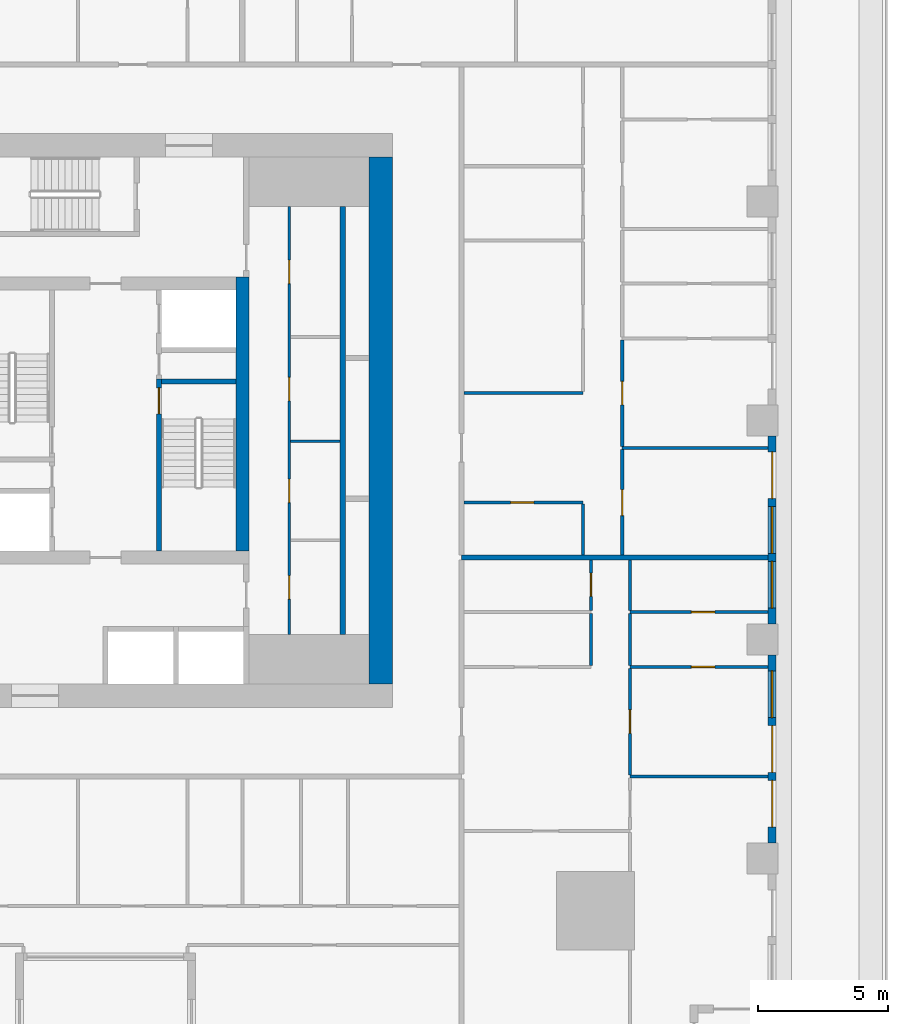
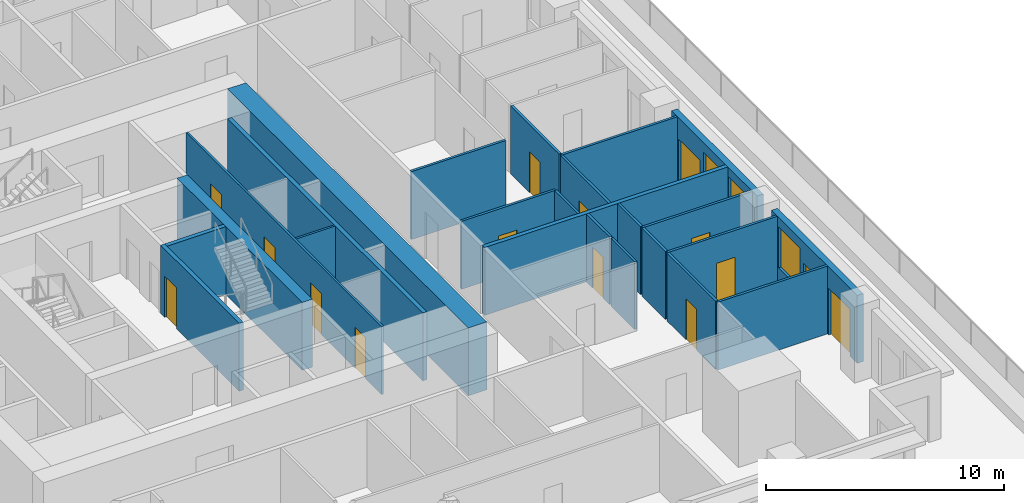
# One storey, part 6 of 16: 24 walls, 15 doors, 3 windows, 18 openings.
"""IFC4 building model written with IfcOpenShell, lengths in metres."""

from ifc_helpers import new_model, si_unit, direction, frame, frame_2d, origin, place, context, subcontext, project, spatial, rectangle, extrude, material, layer, layer_set, type_object, element, fill, save


model = new_model("IFC4")

# Units and contexts
model_context = context("Model", 3, precision=1e-05, world=origin(), true_north=direction((0.0, 1.0)))
body_context = subcontext(model_context, "Body", "Model", "MODEL_VIEW")
ifc_project = project(units=[si_unit("LENGTHUNIT", "METRE"), si_unit("AREAUNIT", "SQUARE_METRE"), si_unit("VOLUMEUNIT", "CUBIC_METRE"), si_unit("PLANEANGLEUNIT", "RADIAN"), si_unit("MASSUNIT", "GRAM", prefix="KILO")], contexts=[model_context])

# Site, building, storey
site_placement = place(None, origin())
site = spatial("IfcSite", under=ifc_project, at=site_placement, CompositionType="ELEMENT")
building_placement = place(site_placement, origin())
building = spatial("IfcBuilding", under=site, at=building_placement, Name="Khepri Terraces", CompositionType="ELEMENT")
storey_placement = place(building_placement, frame((0.0, 0.0, 27.0)))
storey = spatial("IfcBuildingStorey", under=building, at=storey_placement, Name="L05", CompositionType="ELEMENT", Elevation=27.0)

# Wall, opening, door
ifc_material_1 = material(Name="Concrete C80/95", Category="concrete")
ifc_layer_1 = layer(ifc_material_1, 0.199951171875, Name="Concrete C80/95", Category="concrete")
ifc_layer_set_1 = layer_set([ifc_layer_1], Name="Concrete C80/95")
wall_type_1 = type_object("IfcWallType", Name="Core wall 200 C80/95", PredefinedType="SHEAR", material=ifc_layer_set_1)
wall_1_placement = place(storey_placement, frame((2.050048828125, -5.0, 0.0), z_axis=(0.0, 0.0, 1.0), x_axis=(0.0, 1.0, 0.0)))
wall_1 = element("IfcWall", 1, at=wall_1_placement, inside=storey, type_object=wall_type_1, Name="Core wall ST01 L05", PredefinedType="SHEAR", context=body_context, shape_type="SweptSolid", body=[
    extrude(rectangle(XDim=6.60009765625, YDim=0.199951171875, at=frame_2d((3.300048828125, 0.0))), origin(), (0.0, 0.0, 1.0), 3.47998046875),
])
opening_1_placement = place(wall_1_placement, frame((5.25, 0.0, 0.0)))
opening_1 = element("IfcOpeningElement", 2, at=opening_1_placement, cuts=wall_1, Name="Opening L05-C10", PredefinedType="OPENING", context=body_context, shape_type="SweptSolid", body=[
    extrude(rectangle(XDim=1.0, YDim=2.10009765625, at=frame_2d((0.5, 1.050048828125))), frame((0.0, 0.10986328125, 0.0), z_axis=(0.0, -1.0, 0.0), x_axis=(1.0, 0.0, 0.0)), (0.0, 0.0, 1.0), 0.219970703125),
])
ifc_material_2 = material(Name="Painted steel", Category="steel")
door_type_1 = type_object("IfcDoorType", Name="DR-CORE-STAIR-1000", OperationType="NOTDEFINED", PredefinedType="DOOR", material=ifc_material_2)
door_1_placement = place(opening_1_placement, frame((1.0, 0.0, 0.0), z_axis=(0.0, 0.0, 1.0), x_axis=(-1.0, 0.0, 0.0)))
door_1 = element("IfcDoor", 3, at=door_1_placement, inside=storey, type_object=door_type_1, Name="Stair door L05-C10", OperationType="SINGLE_SWING_LEFT", OverallHeight=2.10009765625, OverallWidth=1.0, PredefinedType="DOOR", context=body_context, shape_type="SweptSolid", body=[
    extrude(rectangle(XDim=1.0, YDim=2.10009765625, at=frame_2d((0.5, 1.050048828125))), frame((0.0, 0.02490234375, 0.0), z_axis=(0.0, -1.0, 0.0), x_axis=(1.0, 0.0, 0.0)), (0.0, 0.0, 1.0), 0.050048828125),
])
fill(opening_1, door_1)

# Walls
wall_2_placement = place(storey_placement, frame((2.14990234375, 1.5, 0.0), z_axis=(0.0, 0.0, 1.0), x_axis=(1.0, 0.0, 0.0)))
element("IfcWall", 4, at=wall_2_placement, inside=storey, type_object=wall_type_1, Name="Core wall ST04 L05", PredefinedType="SHEAR", context=body_context, shape_type="SweptSolid", body=[
    extrude(rectangle(XDim=2.85009765625, YDim=0.199951171875, at=frame_2d((1.425048828125, 0.0))), origin(), (0.0, 0.0, 1.0), 3.47998046875),
])
wall_3_placement = place(storey_placement, frame((9.10009765625, -8.199951171875, 0.0), z_axis=(0.0, 0.0, 1.0), x_axis=(0.0, 1.0, 0.0)))
element("IfcWall", 5, at=wall_3_placement, inside=storey, type_object=wall_type_1, Name="Core wall SH05 L05", PredefinedType="SHEAR", context=body_context, shape_type="SweptSolid", body=[
    extrude(rectangle(XDim=16.39990234375, YDim=0.199951171875, at=frame_2d((8.199951171875, 0.0))), origin(), (0.0, 0.0, 1.0), 3.47998046875),
])
ifc_layer_2 = layer(ifc_material_1, 0.5, Name="Concrete C80/95", Category="concrete")
ifc_layer_set_2 = layer_set([ifc_layer_2], Name="Concrete C80/95")
wall_type_2 = type_object("IfcWallType", Name="Core wall 500 C80/95", PredefinedType="SHEAR", material=ifc_layer_set_2)
wall_4_placement = place(storey_placement, frame((5.25, -5.0, 0.0), z_axis=(0.0, 0.0, 1.0), x_axis=(0.0, 1.0, 0.0)))
element("IfcWall", 6, at=wall_4_placement, inside=storey, type_object=wall_type_2, Name="Core wall BX03 L05", PredefinedType="SHEAR", context=body_context, shape_type="SweptSolid", body=[
    extrude(rectangle(XDim=10.5, YDim=0.5, at=frame_2d((5.25, 0.0))), origin(), (0.0, 0.0, 1.0), 3.47998046875),
])
ifc_layer_3 = layer(ifc_material_1, 0.89990234375, Name="Concrete C80/95", Category="concrete")
ifc_layer_set_3 = layer_set([ifc_layer_3], Name="Concrete C80/95")
wall_type_3 = type_object("IfcWallType", Name="Core wall 900 C80/95", PredefinedType="SHEAR", material=ifc_layer_set_3)
wall_5_placement = place(storey_placement, frame((10.550048828125, -10.10009765625, 0.0), z_axis=(0.0, 0.0, 1.0), x_axis=(0.0, 1.0, 0.0)))
element("IfcWall", 7, at=wall_5_placement, inside=storey, type_object=wall_type_3, Name="Core wall OW-E L05", PredefinedType="SHEAR", context=body_context, shape_type="SweptSolid", body=[
    extrude(rectangle(XDim=20.2001953125, YDim=0.89990234375, at=frame_2d((10.10009765625, 0.0))), origin(), (0.0, 0.0, 1.0), 3.47998046875),
])

# Wall, openings, doors
ifc_material_3 = material(Name="Fire-rated gypsum board partition")
ifc_layer_4 = layer(ifc_material_3, 0.10009765625, Name="Fire-rated gypsum board partition")
ifc_layer_set_4 = layer_set([ifc_layer_4], Name="Fire-rated gypsum board partition")
wall_type_4 = type_object("IfcWallType", Name="WL-CORE-PART-100", PredefinedType="PARTITIONING", material=ifc_layer_set_4)
wall_6_placement = place(storey_placement, frame((7.050048828125, -8.199951171875, 0.0), z_axis=(0.0, 0.0, 1.0), x_axis=(0.0, 1.0, 0.0)))
wall_6 = element("IfcWall", 8, at=wall_6_placement, inside=storey, type_object=wall_type_4, Name="Core partition PT02 L05", PredefinedType="PARTITIONING", context=body_context, shape_type="SweptSolid", body=[
    extrude(rectangle(XDim=16.39990234375, YDim=0.10009765625, at=frame_2d((8.199951171875, 0.0))), origin(), (0.0, 0.0, 1.0), 3.47998046875),
])
opening_2_placement = place(wall_6_placement, frame((1.35009765625, 0.0, 0.0)))
opening_2 = element("IfcOpeningElement", 9, at=opening_2_placement, cuts=wall_6, Name="Opening L05-C22", PredefinedType="OPENING", context=body_context, shape_type="SweptSolid", body=[
    extrude(rectangle(XDim=0.89990234375, YDim=2.10009765625, at=frame_2d((0.449951171875, 1.050048828125))), frame((0.0, 0.06005859375, 0.0), z_axis=(0.0, -1.0, 0.0), x_axis=(1.0, 0.0, 0.0)), (0.0, 0.0, 1.0), 0.1201171875),
])
opening_3_placement = place(wall_6_placement, frame((5.050048828125, 0.0, 0.0)))
opening_3 = element("IfcOpeningElement", 10, at=opening_3_placement, cuts=wall_6, Name="Opening L05-C23", PredefinedType="OPENING", context=body_context, shape_type="SweptSolid", body=[
    extrude(rectangle(XDim=0.89990234375, YDim=2.10009765625, at=frame_2d((0.449951171875, 1.050048828125))), frame((0.0, 0.06005859375, 0.0), z_axis=(0.0, -1.0, 0.0), x_axis=(1.0, 0.0, 0.0)), (0.0, 0.0, 1.0), 0.1201171875),
])
opening_4_placement = place(wall_6_placement, frame((8.949951171875, 0.0, 0.0)))
opening_4 = element("IfcOpeningElement", 11, at=opening_4_placement, cuts=wall_6, Name="Opening L05-C24", PredefinedType="OPENING", context=body_context, shape_type="SweptSolid", body=[
    extrude(rectangle(XDim=0.89990234375, YDim=2.10009765625, at=frame_2d((0.449951171875, 1.050048828125))), frame((0.0, 0.06005859375, 0.0), z_axis=(0.0, -1.0, 0.0), x_axis=(1.0, 0.0, 0.0)), (0.0, 0.0, 1.0), 0.1201171875),
])
opening_5_placement = place(wall_6_placement, frame((13.449951171875, 0.0, 0.0)))
opening_5 = element("IfcOpeningElement", 12, at=opening_5_placement, cuts=wall_6, Name="Opening L05-C25", PredefinedType="OPENING", context=body_context, shape_type="SweptSolid", body=[
    extrude(rectangle(XDim=0.89990234375, YDim=2.10009765625, at=frame_2d((0.449951171875, 1.050048828125))), frame((0.0, 0.06005859375, 0.0), z_axis=(0.0, -1.0, 0.0), x_axis=(1.0, 0.0, 0.0)), (0.0, 0.0, 1.0), 0.1201171875),
])
door_type_2 = type_object("IfcDoorType", Name="DR-CORE-SERVICE-900", OperationType="NOTDEFINED", PredefinedType="DOOR", material=ifc_material_2)
door_2_placement = place(opening_2_placement, frame((0.89990234375, 0.0, 0.0), z_axis=(0.0, 0.0, 1.0), x_axis=(-1.0, 0.0, 0.0)))
door_2 = element("IfcDoor", 13, at=door_2_placement, inside=storey, type_object=door_type_2, Name="Service room door L05-C22", OperationType="SINGLE_SWING_RIGHT", OverallHeight=2.10009765625, OverallWidth=0.89990234375, PredefinedType="DOOR", context=body_context, shape_type="SweptSolid", body=[
    extrude(rectangle(XDim=0.89990234375, YDim=2.10009765625, at=frame_2d((0.449951171875, 1.050048828125))), frame((0.0, 0.02490234375, 0.0), z_axis=(0.0, -1.0, 0.0), x_axis=(1.0, 0.0, 0.0)), (0.0, 0.0, 1.0), 0.050048828125),
])
fill(opening_2, door_2)
door_3_placement = place(opening_3_placement, frame((0.89990234375, 0.0, 0.0), z_axis=(0.0, 0.0, 1.0), x_axis=(-1.0, 0.0, 0.0)))
door_3 = element("IfcDoor", 14, at=door_3_placement, inside=storey, type_object=door_type_2, Name="Service room door L05-C23", OperationType="SINGLE_SWING_RIGHT", OverallHeight=2.10009765625, OverallWidth=0.89990234375, PredefinedType="DOOR", context=body_context, shape_type="SweptSolid", body=[
    extrude(rectangle(XDim=0.89990234375, YDim=2.10009765625, at=frame_2d((0.449951171875, 1.050048828125))), frame((0.0, 0.02490234375, 0.0), z_axis=(0.0, -1.0, 0.0), x_axis=(1.0, 0.0, 0.0)), (0.0, 0.0, 1.0), 0.050048828125),
])
fill(opening_3, door_3)
door_4_placement = place(opening_4_placement, frame((0.89990234375, 0.0, 0.0), z_axis=(0.0, 0.0, 1.0), x_axis=(-1.0, 0.0, 0.0)))
door_4 = element("IfcDoor", 15, at=door_4_placement, inside=storey, type_object=door_type_2, Name="Service room door L05-C24", OperationType="SINGLE_SWING_LEFT", OverallHeight=2.10009765625, OverallWidth=0.89990234375, PredefinedType="DOOR", context=body_context, shape_type="SweptSolid", body=[
    extrude(rectangle(XDim=0.89990234375, YDim=2.10009765625, at=frame_2d((0.449951171875, 1.050048828125))), frame((0.0, 0.02490234375, 0.0), z_axis=(0.0, -1.0, 0.0), x_axis=(1.0, 0.0, 0.0)), (0.0, 0.0, 1.0), 0.050048828125),
])
fill(opening_4, door_4)
door_5_placement = place(opening_5_placement, frame((0.89990234375, 0.0, 0.0), z_axis=(0.0, 0.0, 1.0), x_axis=(-1.0, 0.0, 0.0)))
door_5 = element("IfcDoor", 16, at=door_5_placement, inside=storey, type_object=door_type_2, Name="Service room door L05-C25", OperationType="SINGLE_SWING_LEFT", OverallHeight=2.10009765625, OverallWidth=0.89990234375, PredefinedType="DOOR", context=body_context, shape_type="SweptSolid", body=[
    extrude(rectangle(XDim=0.89990234375, YDim=2.10009765625, at=frame_2d((0.449951171875, 1.050048828125))), frame((0.0, 0.02490234375, 0.0), z_axis=(0.0, -1.0, 0.0), x_axis=(1.0, 0.0, 0.0)), (0.0, 0.0, 1.0), 0.050048828125),
])
fill(opening_5, door_5)

# Walls
wall_7_placement = place(storey_placement, frame((7.10009765625, -0.800048828125, 0.0), z_axis=(0.0, 0.0, 1.0), x_axis=(1.0, 0.0, 0.0)))
element("IfcWall", 17, at=wall_7_placement, inside=storey, type_object=wall_type_4, Name="Core partition PT05 L05", PredefinedType="PARTITIONING", context=body_context, shape_type="SweptSolid", body=[
    extrude(rectangle(XDim=1.89990234375, YDim=0.10009765625, at=frame_2d((0.949951171875, 0.0))), origin(), (0.0, 0.0, 1.0), 3.47998046875),
])
ifc_material_4 = material(Name="Fire-rated gypsum plasterboard partition, mineral wool")
ifc_layer_5 = layer(ifc_material_4, 0.199951171875, Name="Fire-rated gypsum plasterboard partition, mineral wool")
ifc_layer_set_5 = layer_set([ifc_layer_5], Name="Fire-rated gypsum plasterboard partition, mineral wool")
wall_type_5 = type_object("IfcWallType", Name="WL-CORR-200", PredefinedType="PARTITIONING", material=ifc_layer_set_5)
wall_8_placement = place(storey_placement, frame((13.64990234375, -5.25, 0.0), z_axis=(0.0, 0.0, 1.0), x_axis=(1.0, 0.0, 0.0)))
element("IfcWall", 18, at=wall_8_placement, inside=storey, type_object=wall_type_5, Name="Partition P-046 L05", PredefinedType="PARTITIONING", context=body_context, shape_type="SweptSolid", body=[
    extrude(rectangle(XDim=11.77001953125, YDim=0.199951171875, at=frame_2d((5.885009765625, 0.0))), origin(), (0.0, 0.0, 1.0), 3.47998046875),
])

# Wall, openings, doors, window
ifc_material_5 = material(Name="Precast concrete C50/60 warm stone", Category="masonry")
ifc_layer_6 = layer(ifc_material_5, 0.300048828125, Name="Precast concrete C50/60 warm stone", Category="masonry")
ifc_layer_set_6 = layer_set([ifc_layer_6], Name="Precast concrete C50/60 warm stone")
wall_type_6 = type_object("IfcWallType", Name="WL-EXT-PRECAST-300", PredefinedType="STANDARD", material=ifc_layer_set_6)
wall_9_placement = place(storey_placement, frame((25.570068359375, -16.199951171875, 0.0), z_axis=(0.0, 0.0, 1.0), x_axis=(0.0, 1.0, 0.0)))
wall_9 = element("IfcWall", 19, at=wall_9_placement, inside=storey, type_object=wall_type_6, Name="External wall L05 E", PredefinedType="STANDARD", context=body_context, shape_type="SweptSolid", body=[
    extrude(rectangle(XDim=7.199951171875, YDim=0.300048828125, at=frame_2d((3.60009765625, 0.0))), origin(), (0.0, 0.0, 1.0), 3.47998046875),
])
opening_6_placement = place(wall_9_placement, frame((0.60009765625, 0.0, 0.0)))
opening_6 = element("IfcOpeningElement", 20, at=opening_6_placement, cuts=wall_9, Name="Opening ED-L05-03", PredefinedType="OPENING", context=body_context, shape_type="SweptSolid", body=[
    extrude(rectangle(XDim=1.800048828125, YDim=2.39990234375, at=frame_2d((0.89990234375, 1.199951171875))), frame((0.0, 0.16015625, 0.0), z_axis=(0.0, -1.0, 0.0), x_axis=(1.0, 0.0, 0.0)), (0.0, 0.0, 1.0), 0.320068359375),
])
opening_7_placement = place(wall_9_placement, frame((2.699951171875, 0.0, 0.0)))
opening_7 = element("IfcOpeningElement", 21, at=opening_7_placement, cuts=wall_9, Name="Opening ED-L05-04", PredefinedType="OPENING", context=body_context, shape_type="SweptSolid", body=[
    extrude(rectangle(XDim=1.800048828125, YDim=2.39990234375, at=frame_2d((0.89990234375, 1.199951171875))), frame((0.0, 0.16015625, 0.0), z_axis=(0.0, -1.0, 0.0), x_axis=(1.0, 0.0, 0.0)), (0.0, 0.0, 1.0), 0.320068359375),
])
opening_8_placement = place(wall_9_placement, frame((4.800048828125, 0.0, 0.89990234375)))
opening_8 = element("IfcOpeningElement", 22, at=opening_8_placement, cuts=wall_9, Name="Opening W1", PredefinedType="OPENING", context=body_context, shape_type="SweptSolid", body=[
    extrude(rectangle(XDim=1.800048828125, YDim=2.10009765625, at=frame_2d((0.89990234375, 1.050048828125))), frame((0.0, 0.16015625, 0.0), z_axis=(0.0, -1.0, 0.0), x_axis=(1.0, 0.0, 0.0)), (0.0, 0.0, 1.0), 0.320068359375),
])
ifc_material_6 = material(Name="Anodised aluminium bronze glazed door", Category="aluminium")
door_type_3 = type_object("IfcDoorType", Name="DR-BAL-SLIDE-1800x2400", OperationType="NOTDEFINED", PredefinedType="DOOR", material=ifc_material_6)
door_6_placement = place(opening_6_placement, origin())
door_6 = element("IfcDoor", 23, at=door_6_placement, inside=storey, type_object=door_type_3, Name="Balcony door L05 E", OperationType="SLIDING_TO_LEFT", OverallHeight=2.39990234375, OverallWidth=1.800048828125, PredefinedType="DOOR", context=body_context, shape_type="SweptSolid", body=[
    extrude(rectangle(XDim=1.800048828125, YDim=2.39990234375, at=frame_2d((0.89990234375, 1.199951171875))), frame((0.0, 0.02490234375, 0.0), z_axis=(0.0, -1.0, 0.0), x_axis=(1.0, 0.0, 0.0)), (0.0, 0.0, 1.0), 0.050048828125),
])
fill(opening_6, door_6)
door_7_placement = place(opening_7_placement, origin())
door_7 = element("IfcDoor", 24, at=door_7_placement, inside=storey, type_object=door_type_3, Name="Balcony door L05 E", OperationType="SLIDING_TO_RIGHT", OverallHeight=2.39990234375, OverallWidth=1.800048828125, PredefinedType="DOOR", context=body_context, shape_type="SweptSolid", body=[
    extrude(rectangle(XDim=1.800048828125, YDim=2.39990234375, at=frame_2d((0.89990234375, 1.199951171875))), frame((0.0, 0.02490234375, 0.0), z_axis=(0.0, -1.0, 0.0), x_axis=(1.0, 0.0, 0.0)), (0.0, 0.0, 1.0), 0.050048828125),
])
fill(opening_7, door_7)
ifc_material_7 = material(Name="Clear glass", Category="glass")
window_type = type_object("IfcWindowType", Name="WIN-RES-1800x2100", PartitioningType="SINGLE_PANEL", PredefinedType="WINDOW", material=ifc_material_7)
window_1_placement = place(opening_8_placement, origin())
window_1 = element("IfcWindow", 25, at=window_1_placement, inside=storey, type_object=window_type, Name="Window L05 E", OverallHeight=2.10009765625, OverallWidth=1.800048828125, PartitioningType="SINGLE_PANEL", PredefinedType="WINDOW", context=body_context, shape_type="SweptSolid", body=[
    extrude(rectangle(XDim=1.800048828125, YDim=2.10009765625, at=frame_2d((0.89990234375, 1.050048828125))), frame((0.0, 0.030029296875, 0.0), z_axis=(0.0, -1.0, 0.0), x_axis=(1.0, 0.0, 0.0)), (0.0, 0.0, 1.0), 0.06005859375),
])
fill(opening_8, window_1)

# Wall, openings, door, windows
wall_10_placement = place(storey_placement, frame((25.570068359375, -7.800048828125, 0.0), z_axis=(0.0, 0.0, 1.0), x_axis=(0.0, 1.0, 0.0)))
wall_10 = element("IfcWall", 26, at=wall_10_placement, inside=storey, type_object=wall_type_6, Name="External wall L05 E", PredefinedType="STANDARD", context=body_context, shape_type="SweptSolid", body=[
    extrude(rectangle(XDim=7.199951171875, YDim=0.300048828125, at=frame_2d((3.60009765625, 0.0))), origin(), (0.0, 0.0, 1.0), 3.47998046875),
])
opening_9_placement = place(wall_10_placement, frame((0.60009765625, 0.0, 0.89990234375)))
opening_9 = element("IfcOpeningElement", 27, at=opening_9_placement, cuts=wall_10, Name="Opening W1", PredefinedType="OPENING", context=body_context, shape_type="SweptSolid", body=[
    extrude(rectangle(XDim=1.800048828125, YDim=2.10009765625, at=frame_2d((0.89990234375, 1.050048828125))), frame((0.0, 0.16015625, 0.0), z_axis=(0.0, -1.0, 0.0), x_axis=(1.0, 0.0, 0.0)), (0.0, 0.0, 1.0), 0.320068359375),
])
opening_10_placement = place(wall_10_placement, frame((2.699951171875, 0.0, 0.89990234375)))
opening_10 = element("IfcOpeningElement", 28, at=opening_10_placement, cuts=wall_10, Name="Opening W1", PredefinedType="OPENING", context=body_context, shape_type="SweptSolid", body=[
    extrude(rectangle(XDim=1.800048828125, YDim=2.10009765625, at=frame_2d((0.89990234375, 1.050048828125))), frame((0.0, 0.16015625, 0.0), z_axis=(0.0, -1.0, 0.0), x_axis=(1.0, 0.0, 0.0)), (0.0, 0.0, 1.0), 0.320068359375),
])
opening_11_placement = place(wall_10_placement, frame((4.800048828125, 0.0, 0.0)))
opening_11 = element("IfcOpeningElement", 29, at=opening_11_placement, cuts=wall_10, Name="Opening ED-L05-05", PredefinedType="OPENING", context=body_context, shape_type="SweptSolid", body=[
    extrude(rectangle(XDim=1.800048828125, YDim=2.39990234375, at=frame_2d((0.89990234375, 1.199951171875))), frame((0.0, 0.16015625, 0.0), z_axis=(0.0, -1.0, 0.0), x_axis=(1.0, 0.0, 0.0)), (0.0, 0.0, 1.0), 0.320068359375),
])
door_8_placement = place(opening_11_placement, origin())
door_8 = element("IfcDoor", 30, at=door_8_placement, inside=storey, type_object=door_type_3, Name="Balcony door L05 E", OperationType="SLIDING_TO_RIGHT", OverallHeight=2.39990234375, OverallWidth=1.800048828125, PredefinedType="DOOR", context=body_context, shape_type="SweptSolid", body=[
    extrude(rectangle(XDim=1.800048828125, YDim=2.39990234375, at=frame_2d((0.89990234375, 1.199951171875))), frame((0.0, 0.02490234375, 0.0), z_axis=(0.0, -1.0, 0.0), x_axis=(1.0, 0.0, 0.0)), (0.0, 0.0, 1.0), 0.050048828125),
])
fill(opening_11, door_8)
window_2_placement = place(opening_9_placement, origin())
window_2 = element("IfcWindow", 31, at=window_2_placement, inside=storey, type_object=window_type, Name="Window L05 E", OverallHeight=2.10009765625, OverallWidth=1.800048828125, PartitioningType="SINGLE_PANEL", PredefinedType="WINDOW", context=body_context, shape_type="SweptSolid", body=[
    extrude(rectangle(XDim=1.800048828125, YDim=2.10009765625, at=frame_2d((0.89990234375, 1.050048828125))), frame((0.0, 0.030029296875, 0.0), z_axis=(0.0, -1.0, 0.0), x_axis=(1.0, 0.0, 0.0)), (0.0, 0.0, 1.0), 0.06005859375),
])
fill(opening_9, window_2)
window_3_placement = place(opening_10_placement, origin())
window_3 = element("IfcWindow", 32, at=window_3_placement, inside=storey, type_object=window_type, Name="Window L05 E", OverallHeight=2.10009765625, OverallWidth=1.800048828125, PartitioningType="SINGLE_PANEL", PredefinedType="WINDOW", context=body_context, shape_type="SweptSolid", body=[
    extrude(rectangle(XDim=1.800048828125, YDim=2.10009765625, at=frame_2d((0.89990234375, 1.050048828125))), frame((0.0, 0.030029296875, 0.0), z_axis=(0.0, -1.0, 0.0), x_axis=(1.0, 0.0, 0.0)), (0.0, 0.0, 1.0), 0.06005859375),
])
fill(opening_10, window_3)

# Wall
ifc_material_8 = material(Name="Gypsum plasterboard partition")
ifc_layer_7 = layer(ifc_material_8, 0.1201171875, Name="Gypsum plasterboard partition")
ifc_layer_set_7 = layer_set([ifc_layer_7], Name="Gypsum plasterboard partition")
wall_type_7 = type_object("IfcWallType", Name="WL-PART-120", PredefinedType="PARTITIONING", material=ifc_layer_set_7)
wall_11_placement = place(storey_placement, frame((20.1201171875, -13.64990234375, 0.0), z_axis=(0.0, 0.0, 1.0), x_axis=(1.0, 0.0, 0.0)))
element("IfcWall", 33, at=wall_11_placement, inside=storey, type_object=wall_type_7, Name="Partition P-023 L05", PredefinedType="PARTITIONING", context=body_context, shape_type="SweptSolid", body=[
    extrude(rectangle(XDim=5.2998046875, YDim=0.1201171875, at=frame_2d((2.64990234375, 0.0))), origin(), (0.0, 0.0, 1.0), 3.47998046875),
])

# Wall, opening, door
wall_12_placement = place(storey_placement, frame((20.1201171875, -13.590087890625, 0.0), z_axis=(0.0, 0.0, 1.0), x_axis=(0.0, 1.0, 0.0)))
wall_12 = element("IfcWall", 34, at=wall_12_placement, inside=storey, type_object=wall_type_7, Name="Partition P-024 L05", PredefinedType="PARTITIONING", context=body_context, shape_type="SweptSolid", body=[
    extrude(rectangle(XDim=4.080078125, YDim=0.1201171875, at=frame_2d((2.0400390625, 0.0))), origin(), (0.0, 0.0, 1.0), 3.47998046875),
])
opening_12_placement = place(wall_12_placement, frame((1.590087890625, 0.0, 0.0)))
opening_12 = element("IfcOpeningElement", 35, at=opening_12_placement, cuts=wall_12, Name="Opening D3", PredefinedType="OPENING", context=body_context, shape_type="SweptSolid", body=[
    extrude(rectangle(XDim=0.89990234375, YDim=2.10009765625, at=frame_2d((0.449951171875, 1.050048828125))), frame((0.0, 0.070068359375, 0.0), z_axis=(0.0, -1.0, 0.0), x_axis=(1.0, 0.0, 0.0)), (0.0, 0.0, 1.0), 0.14013671875),
])
ifc_material_9 = material(Name="Timber door leaf", Category="wood")
door_type_4 = type_object("IfcDoorType", Name="DR-INT-900", OperationType="NOTDEFINED", PredefinedType="DOOR", material=ifc_material_9)
door_9_placement = place(opening_12_placement, frame((0.89990234375, 0.0, 0.0), z_axis=(0.0, 0.0, 1.0), x_axis=(-1.0, 0.0, 0.0)))
door_9 = element("IfcDoor", 36, at=door_9_placement, inside=storey, type_object=door_type_4, Name="Door Master Bedroom", OperationType="SINGLE_SWING_RIGHT", OverallHeight=2.10009765625, OverallWidth=0.89990234375, PredefinedType="DOOR", context=body_context, shape_type="SweptSolid", body=[
    extrude(rectangle(XDim=0.89990234375, YDim=2.10009765625, at=frame_2d((0.449951171875, 1.050048828125))), frame((0.0, 0.02490234375, 0.0), z_axis=(0.0, -1.0, 0.0), x_axis=(1.0, 0.0, 0.0)), (0.0, 0.0, 1.0), 0.050048828125),
])
fill(opening_12, door_9)

wall_13_placement = place(storey_placement, frame((20.1201171875, -9.449951171875, 0.0), z_axis=(0.0, 0.0, 1.0), x_axis=(1.0, 0.0, 0.0)))
wall_13 = element("IfcWall", 37, at=wall_13_placement, inside=storey, type_object=wall_type_7, Name="Partition P-034 L05", PredefinedType="PARTITIONING", context=body_context, shape_type="SweptSolid", body=[
    extrude(rectangle(XDim=5.2998046875, YDim=0.1201171875, at=frame_2d((2.64990234375, 0.0))), origin(), (0.0, 0.0, 1.0), 3.47998046875),
])
opening_13_placement = place(wall_13_placement, frame((2.35009765625, 0.0, 0.0)))
opening_13 = element("IfcOpeningElement", 38, at=opening_13_placement, cuts=wall_13, Name="Opening D3", PredefinedType="OPENING", context=body_context, shape_type="SweptSolid", body=[
    extrude(rectangle(XDim=0.89990234375, YDim=2.10009765625, at=frame_2d((0.449951171875, 1.050048828125))), frame((0.0, 0.070068359375, 0.0), z_axis=(0.0, -1.0, 0.0), x_axis=(1.0, 0.0, 0.0)), (0.0, 0.0, 1.0), 0.14013671875),
])
door_10_placement = place(opening_13_placement, origin())
door_10 = element("IfcDoor", 39, at=door_10_placement, inside=storey, type_object=door_type_4, Name="Door Dressing Room", OperationType="SINGLE_SWING_RIGHT", OverallHeight=2.10009765625, OverallWidth=0.89990234375, PredefinedType="DOOR", context=body_context, shape_type="SweptSolid", body=[
    extrude(rectangle(XDim=0.89990234375, YDim=2.10009765625, at=frame_2d((0.449951171875, 1.050048828125))), frame((0.0, 0.02490234375, 0.0), z_axis=(0.0, -1.0, 0.0), x_axis=(1.0, 0.0, 0.0)), (0.0, 0.0, 1.0), 0.050048828125),
])
fill(opening_13, door_10)

# Walls
for number, where, z_axis, x_axis, name in (
    (40, (18.6201171875, -9.389892578125, 0.0), (0.0, 0.0, 1.0), (0.0, 1.0, 0.0), "Partition P-035 L05"),
    (41, (20.1201171875, -9.389892578125, 0.0), (0.0, 0.0, 1.0), (0.0, 1.0, 0.0), "Partition P-036 L05"),
):
    element("IfcWall", number, at=place(storey_placement, frame(where, z_axis=z_axis, x_axis=x_axis)), inside=storey, type_object=wall_type_7, Name=name, PredefinedType="PARTITIONING", context=body_context, shape_type="SweptSolid", body=[
        extrude(rectangle(XDim=1.97998046875, YDim=0.1201171875, at=frame_2d((0.989990234375, 0.0))), origin(), (0.0, 0.0, 1.0), 3.47998046875),
    ])

# Wall, opening, door
wall_14_placement = place(storey_placement, frame((20.1201171875, -7.35009765625, 0.0), z_axis=(0.0, 0.0, 1.0), x_axis=(1.0, 0.0, 0.0)))
wall_14 = element("IfcWall", 42, at=wall_14_placement, inside=storey, type_object=wall_type_7, Name="Partition P-039 L05", PredefinedType="PARTITIONING", context=body_context, shape_type="SweptSolid", body=[
    extrude(rectangle(XDim=5.2998046875, YDim=0.1201171875, at=frame_2d((2.64990234375, 0.0))), origin(), (0.0, 0.0, 1.0), 3.47998046875),
])
opening_14_placement = place(wall_14_placement, frame((2.35009765625, 0.0, 0.0)))
opening_14 = element("IfcOpeningElement", 43, at=opening_14_placement, cuts=wall_14, Name="Opening D4", PredefinedType="OPENING", context=body_context, shape_type="SweptSolid", body=[
    extrude(rectangle(XDim=0.89990234375, YDim=2.10009765625, at=frame_2d((0.449951171875, 1.050048828125))), frame((0.0, 0.070068359375, 0.0), z_axis=(0.0, -1.0, 0.0), x_axis=(1.0, 0.0, 0.0)), (0.0, 0.0, 1.0), 0.14013671875),
])
ifc_material_10 = material(Name="Timber door leaf, moisture resistant", Category="wood")
door_type_5 = type_object("IfcDoorType", Name="DR-WET-900", OperationType="NOTDEFINED", PredefinedType="DOOR", material=ifc_material_10)
door_11_placement = place(opening_14_placement, origin())
door_11 = element("IfcDoor", 44, at=door_11_placement, inside=storey, type_object=door_type_5, Name="Door Bathroom", OperationType="SINGLE_SWING_RIGHT", OverallHeight=2.10009765625, OverallWidth=0.89990234375, PredefinedType="DOOR", context=body_context, shape_type="SweptSolid", body=[
    extrude(rectangle(XDim=0.89990234375, YDim=2.10009765625, at=frame_2d((0.449951171875, 1.050048828125))), frame((0.0, 0.02490234375, 0.0), z_axis=(0.0, -1.0, 0.0), x_axis=(1.0, 0.0, 0.0)), (0.0, 0.0, 1.0), 0.050048828125),
])
fill(opening_14, door_11)

wall_15_placement = place(storey_placement, frame((18.6201171875, -7.2900390625, 0.0), z_axis=(0.0, 0.0, 1.0), x_axis=(0.0, 1.0, 0.0)))
wall_15 = element("IfcWall", 45, at=wall_15_placement, inside=storey, type_object=wall_type_7, Name="Partition P-041 L05", PredefinedType="PARTITIONING", context=body_context, shape_type="SweptSolid", body=[
    extrude(rectangle(XDim=1.93994140625, YDim=0.1201171875, at=frame_2d((0.969970703125, 0.0))), origin(), (0.0, 0.0, 1.0), 3.47998046875),
])
opening_15_placement = place(wall_15_placement, frame((0.5400390625, 0.0, 0.0)))
opening_15 = element("IfcOpeningElement", 46, at=opening_15_placement, cuts=wall_15, Name="Opening D3", PredefinedType="OPENING", context=body_context, shape_type="SweptSolid", body=[
    extrude(rectangle(XDim=0.89990234375, YDim=2.10009765625, at=frame_2d((0.449951171875, 1.050048828125))), frame((0.0, 0.070068359375, 0.0), z_axis=(0.0, -1.0, 0.0), x_axis=(1.0, 0.0, 0.0)), (0.0, 0.0, 1.0), 0.14013671875),
])
door_12_placement = place(opening_15_placement, origin())
door_12 = element("IfcDoor", 47, at=door_12_placement, inside=storey, type_object=door_type_4, Name="Door Kitchen", OperationType="SINGLE_SWING_RIGHT", OverallHeight=2.10009765625, OverallWidth=0.89990234375, PredefinedType="DOOR", context=body_context, shape_type="SweptSolid", body=[
    extrude(rectangle(XDim=0.89990234375, YDim=2.10009765625, at=frame_2d((0.449951171875, 1.050048828125))), frame((0.0, 0.02490234375, 0.0), z_axis=(0.0, -1.0, 0.0), x_axis=(1.0, 0.0, 0.0)), (0.0, 0.0, 1.0), 0.050048828125),
])
fill(opening_15, door_12)

# Walls
for number, where, z_axis, x_axis, name in (
    (48, (20.1201171875, -7.2900390625, 0.0), (0.0, 0.0, 1.0), (0.0, 1.0, 0.0), "Partition P-042 L05"),
    (49, (18.320068359375, -5.14990234375, 0.0), (0.0, 0.0, 1.0), (0.0, 1.0, 0.0), "Partition P-049 L05"),
):
    element("IfcWall", number, at=place(storey_placement, frame(where, z_axis=z_axis, x_axis=x_axis)), inside=storey, type_object=wall_type_7, Name=name, PredefinedType="PARTITIONING", context=body_context, shape_type="SweptSolid", body=[
        extrude(rectangle(XDim=1.93994140625, YDim=0.1201171875, at=frame_2d((0.969970703125, 0.0))), origin(), (0.0, 0.0, 1.0), 3.47998046875),
    ])

# Wall, opening, door
wall_16_placement = place(storey_placement, frame((19.820068359375, -5.14990234375, 0.0), z_axis=(0.0, 0.0, 1.0), x_axis=(0.0, 1.0, 0.0)))
wall_16 = element("IfcWall", 50, at=wall_16_placement, inside=storey, type_object=wall_type_7, Name="Partition P-050 L05", PredefinedType="PARTITIONING", context=body_context, shape_type="SweptSolid", body=[
    extrude(rectangle(XDim=4.039794921875, YDim=0.1201171875, at=frame_2d((2.02001953125, 0.0))), origin(), (0.0, 0.0, 1.0), 3.47998046875),
])
opening_16_placement = place(wall_16_placement, frame((1.5, 0.0, 0.0)))
opening_16 = element("IfcOpeningElement", 51, at=opening_16_placement, cuts=wall_16, Name="Opening D2", PredefinedType="OPENING", context=body_context, shape_type="SweptSolid", body=[
    extrude(rectangle(XDim=1.0, YDim=2.10009765625, at=frame_2d((0.5, 1.050048828125))), frame((0.0, 0.070068359375, 0.0), z_axis=(0.0, -1.0, 0.0), x_axis=(1.0, 0.0, 0.0)), (0.0, 0.0, 1.0), 0.14013671875),
])
ifc_material_11 = material(Name="Timber door leaf, living room door", Category="wood")
door_type_6 = type_object("IfcDoorType", Name="DR-INT-1000", OperationType="NOTDEFINED", PredefinedType="DOOR", material=ifc_material_11)
door_13_placement = place(opening_16_placement, frame((1.0, 0.0, 0.0), z_axis=(0.0, 0.0, 1.0), x_axis=(-1.0, 0.0, 0.0)))
door_13 = element("IfcDoor", 52, at=door_13_placement, inside=storey, type_object=door_type_6, Name="Door Living Room", OperationType="SINGLE_SWING_RIGHT", OverallHeight=2.10009765625, OverallWidth=1.0, PredefinedType="DOOR", context=body_context, shape_type="SweptSolid", body=[
    extrude(rectangle(XDim=1.0, YDim=2.10009765625, at=frame_2d((0.5, 1.050048828125))), frame((0.0, 0.02490234375, 0.0), z_axis=(0.0, -1.0, 0.0), x_axis=(1.0, 0.0, 0.0)), (0.0, 0.0, 1.0), 0.050048828125),
])
fill(opening_16, door_13)

wall_17_placement = place(storey_placement, frame((13.75, -3.14990234375, 0.0), z_axis=(0.0, 0.0, 1.0), x_axis=(1.0, 0.0, 0.0)))
wall_17 = element("IfcWall", 53, at=wall_17_placement, inside=storey, type_object=wall_type_7, Name="Partition P-053 L05", PredefinedType="PARTITIONING", context=body_context, shape_type="SweptSolid", body=[
    extrude(rectangle(XDim=4.570068359375, YDim=0.1201171875, at=frame_2d((2.28515625, 0.0))), origin(), (0.0, 0.0, 1.0), 3.47998046875),
])
opening_17_placement = place(wall_17_placement, frame((1.784912109375, 0.0, 0.0)))
opening_17 = element("IfcOpeningElement", 54, at=opening_17_placement, cuts=wall_17, Name="Opening D3", PredefinedType="OPENING", context=body_context, shape_type="SweptSolid", body=[
    extrude(rectangle(XDim=0.89990234375, YDim=2.10009765625, at=frame_2d((0.449951171875, 1.050048828125))), frame((0.0, 0.070068359375, 0.0), z_axis=(0.0, -1.0, 0.0), x_axis=(1.0, 0.0, 0.0)), (0.0, 0.0, 1.0), 0.14013671875),
])
door_14_placement = place(opening_17_placement, frame((0.89990234375, 0.0, 0.0), z_axis=(0.0, 0.0, 1.0), x_axis=(-1.0, 0.0, 0.0)))
door_14 = element("IfcDoor", 55, at=door_14_placement, inside=storey, type_object=door_type_4, Name="Door Utility Room", OperationType="SINGLE_SWING_RIGHT", OverallHeight=2.10009765625, OverallWidth=0.89990234375, PredefinedType="DOOR", context=body_context, shape_type="SweptSolid", body=[
    extrude(rectangle(XDim=0.89990234375, YDim=2.10009765625, at=frame_2d((0.449951171875, 1.050048828125))), frame((0.0, 0.02490234375, 0.0), z_axis=(0.0, -1.0, 0.0), x_axis=(1.0, 0.0, 0.0)), (0.0, 0.0, 1.0), 0.050048828125),
])
fill(opening_17, door_14)

# Wall
wall_18_placement = place(storey_placement, frame((19.820068359375, -1.050048828125, 0.0), z_axis=(0.0, 0.0, 1.0), x_axis=(1.0, 0.0, 0.0)))
element("IfcWall", 56, at=wall_18_placement, inside=storey, type_object=wall_type_7, Name="Partition P-056 L05", PredefinedType="PARTITIONING", context=body_context, shape_type="SweptSolid", body=[
    extrude(rectangle(XDim=5.599853515625, YDim=0.1201171875, at=frame_2d((2.7998046875, 0.0))), origin(), (0.0, 0.0, 1.0), 3.47998046875),
])

# Wall, opening, door
wall_19_placement = place(storey_placement, frame((19.820068359375, -0.989990234375, 0.0), z_axis=(0.0, 0.0, 1.0), x_axis=(0.0, 1.0, 0.0)))
wall_19 = element("IfcWall", 57, at=wall_19_placement, inside=storey, type_object=wall_type_7, Name="Partition P-059 L05", PredefinedType="PARTITIONING", context=body_context, shape_type="SweptSolid", body=[
    extrude(rectangle(XDim=4.080078125, YDim=0.1201171875, at=frame_2d((2.0400390625, 0.0))), origin(), (0.0, 0.0, 1.0), 3.47998046875),
])
opening_18_placement = place(wall_19_placement, frame((1.590087890625, 0.0, 0.0)))
opening_18 = element("IfcOpeningElement", 58, at=opening_18_placement, cuts=wall_19, Name="Opening D3", PredefinedType="OPENING", context=body_context, shape_type="SweptSolid", body=[
    extrude(rectangle(XDim=0.89990234375, YDim=2.10009765625, at=frame_2d((0.449951171875, 1.050048828125))), frame((0.0, 0.070068359375, 0.0), z_axis=(0.0, -1.0, 0.0), x_axis=(1.0, 0.0, 0.0)), (0.0, 0.0, 1.0), 0.14013671875),
])
door_15_placement = place(opening_18_placement, frame((0.89990234375, 0.0, 0.0), z_axis=(0.0, 0.0, 1.0), x_axis=(-1.0, 0.0, 0.0)))
door_15 = element("IfcDoor", 59, at=door_15_placement, inside=storey, type_object=door_type_4, Name="Door Master Bedroom", OperationType="SINGLE_SWING_LEFT", OverallHeight=2.10009765625, OverallWidth=0.89990234375, PredefinedType="DOOR", context=body_context, shape_type="SweptSolid", body=[
    extrude(rectangle(XDim=0.89990234375, YDim=2.10009765625, at=frame_2d((0.449951171875, 1.050048828125))), frame((0.0, 0.02490234375, 0.0), z_axis=(0.0, -1.0, 0.0), x_axis=(1.0, 0.0, 0.0)), (0.0, 0.0, 1.0), 0.050048828125),
])
fill(opening_18, door_15)

# Wall
wall_20_placement = place(storey_placement, frame((13.75, 1.050048828125, 0.0), z_axis=(0.0, 0.0, 1.0), x_axis=(1.0, 0.0, 0.0)))
element("IfcWall", 60, at=wall_20_placement, inside=storey, type_object=wall_type_7, Name="Partition P-061 L05", PredefinedType="PARTITIONING", context=body_context, shape_type="SweptSolid", body=[
    extrude(rectangle(XDim=4.570068359375, YDim=0.1201171875, at=frame_2d((2.28515625, 0.0))), origin(), (0.0, 0.0, 1.0), 3.47998046875),
])

save(model, "model.ifc")
